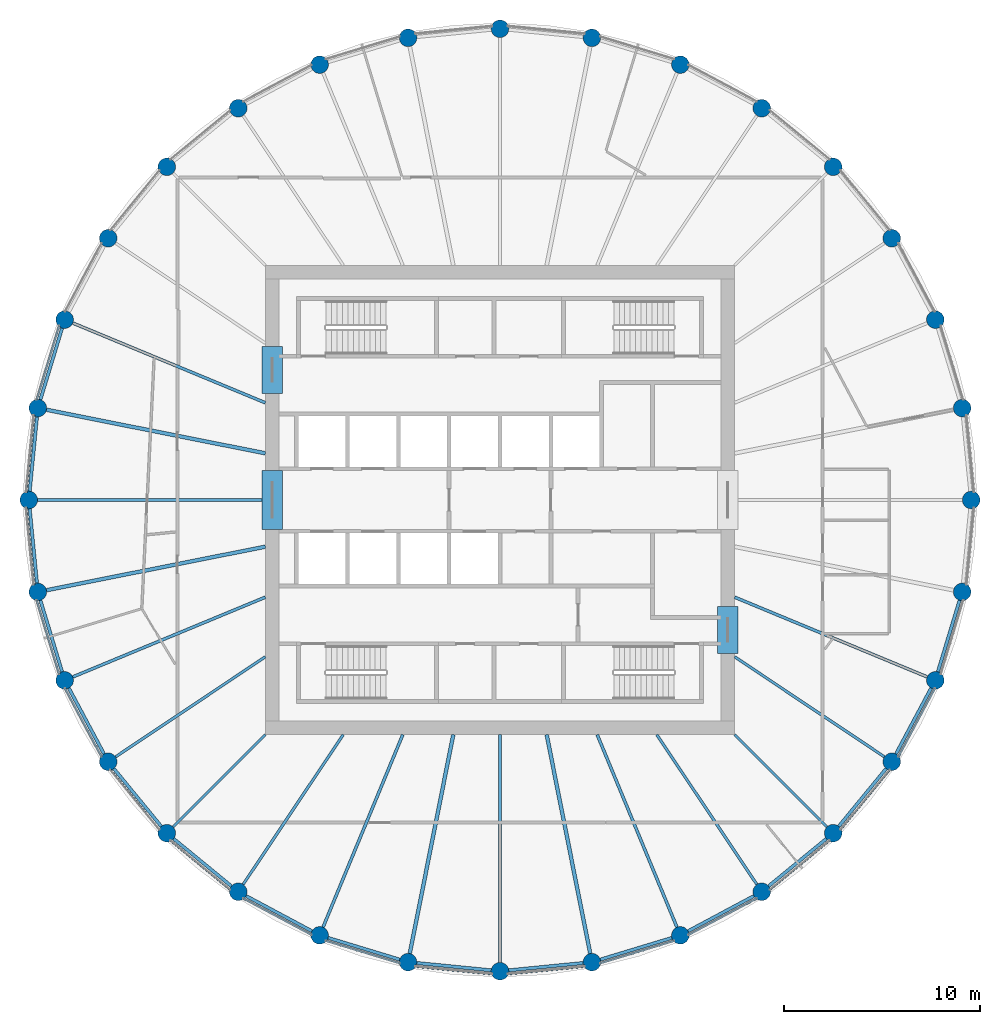
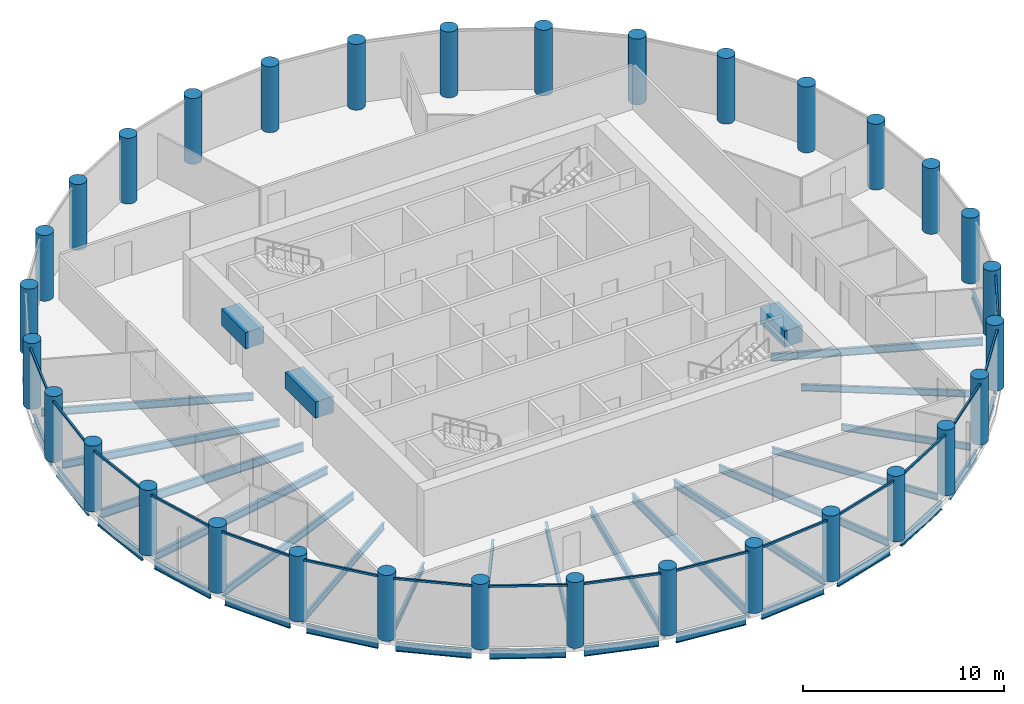
# One storey, part 1 of 7: 37 beams, 32 columns, 16 members, 16 elements without a shape of their own.
"""IFC4 building model written with IfcOpenShell, lengths in metres."""

from ifc_helpers import new_model, si_unit, direction, frame, origin, origin_2d, place, context, subcontext, project, spatial, rectangle, circle, i_section, extrude, material, material_profile, profile_set, type_object, element, aggregate, save


model = new_model("IFC4")

# Units and contexts
model_context = context("Model", 3, precision=1e-05, world=origin(), true_north=direction((0.0, 1.0)))
body_context = subcontext(model_context, "Body", "Model", "MODEL_VIEW")
ifc_project = project(units=[si_unit("LENGTHUNIT", "METRE"), si_unit("AREAUNIT", "SQUARE_METRE"), si_unit("VOLUMEUNIT", "CUBIC_METRE"), si_unit("PLANEANGLEUNIT", "RADIAN"), si_unit("MASSUNIT", "GRAM", prefix="KILO")], contexts=[model_context])

# Site, building, storey
site_placement = place(None, origin())
site = spatial("IfcSite", under=ifc_project, at=site_placement, CompositionType="ELEMENT")
building_placement = place(site_placement, origin())
building = spatial("IfcBuilding", under=site, at=building_placement, Name="Corvane Civic Tower", CompositionType="ELEMENT")
storey_placement = place(building_placement, frame((0.0, 0.0, 307.0)))
storey = spatial("IfcBuildingStorey", under=building, at=storey_placement, Name="L73", CompositionType="ELEMENT", Elevation=307.0)

# Columns
ifc_material_1 = material(Name="Concrete C60/75", Category="concrete")
ifc_material_profile_1 = material_profile(ifc_material_1, circle(Radius=0.449951171875, at=origin_2d()), Name="COLUMN 900")
ifc_profile_set_1 = profile_set([ifc_material_profile_1], Name="Concrete C60/75")
column_type = type_object("IfcColumnType", Name="RC COLUMN COLUMN 900", PredefinedType="COLUMN", material=ifc_profile_set_1)
for number, where, z_axis, x_axis, name in (
    (1, (0.0, 24.10009765625, 0.0), (0.0, 0.0, 1.0), (1.0, 0.0, 0.0), "COL-L73-E01"),
    (2, (4.70166015625, 23.636962890625, 0.0), (0.0, 0.0, 1.0), (1.0, 0.0, 0.0), "COL-L73-E02"),
    (3, (9.22265625, 22.265380859375, 0.0), (0.0, 0.0, 1.0), (1.0, 0.0, 0.0), "COL-L73-E03"),
    (4, (13.38916015625, 20.038330078125, 0.0), (0.0, 0.0, 1.0), (1.0, 0.0, 0.0), "COL-L73-E04"),
    (5, (17.041259765625, 17.041259765625, 0.0), (0.0, 0.0, 1.0), (1.0, 0.0, 0.0), "COL-L73-E05"),
    (6, (20.038330078125, 13.38916015625, 0.0), (0.0, 0.0, 1.0), (1.0, 0.0, 0.0), "COL-L73-E06"),
    (7, (22.265380859375, 9.22265625, 0.0), (0.0, 0.0, 1.0), (1.0, 0.0, 0.0), "COL-L73-E07"),
    (8, (23.636962890625, 4.70166015625, 0.0), (0.0, 0.0, 1.0), (1.0, 0.0, 0.0), "COL-L73-E08"),
    (9, (24.10009765625, 0.0, 0.0), (0.0, 0.0, 1.0), (1.0, 0.0, 0.0), "COL-L73-E09"),
    (10, (23.636962890625, -4.70166015625, 0.0), (0.0, 0.0, 1.0), (1.0, 0.0, 0.0), "COL-L73-E10"),
    (11, (22.265380859375, -9.22265625, 0.0), (0.0, 0.0, 1.0), (1.0, 0.0, 0.0), "COL-L73-E11"),
    (12, (20.038330078125, -13.38916015625, 0.0), (0.0, 0.0, 1.0), (1.0, 0.0, 0.0), "COL-L73-E12"),
    (13, (17.041259765625, -17.041259765625, 0.0), (0.0, 0.0, 1.0), (1.0, 0.0, 0.0), "COL-L73-E13"),
    (14, (13.38916015625, -20.038330078125, 0.0), (0.0, 0.0, 1.0), (1.0, 0.0, 0.0), "COL-L73-E14"),
    (15, (9.22265625, -22.265380859375, 0.0), (0.0, 0.0, 1.0), (1.0, 0.0, 0.0), "COL-L73-E15"),
    (16, (4.70166015625, -23.636962890625, 0.0), (0.0, 0.0, 1.0), (1.0, 0.0, 0.0), "COL-L73-E16"),
    (17, (0.0, -24.10009765625, 0.0), (0.0, 0.0, 1.0), (1.0, 0.0, 0.0), "COL-L73-E17"),
    (18, (-4.70166015625, -23.636962890625, 0.0), (0.0, 0.0, 1.0), (1.0, 0.0, 0.0), "COL-L73-E18"),
    (19, (-9.22265625, -22.265380859375, 0.0), (0.0, 0.0, 1.0), (1.0, 0.0, 0.0), "COL-L73-E19"),
    (20, (-13.38916015625, -20.038330078125, 0.0), (0.0, 0.0, 1.0), (1.0, 0.0, 0.0), "COL-L73-E20"),
    (21, (-17.041259765625, -17.041259765625, 0.0), (0.0, 0.0, 1.0), (1.0, 0.0, 0.0), "COL-L73-E21"),
    (22, (-20.038330078125, -13.38916015625, 0.0), (0.0, 0.0, 1.0), (1.0, 0.0, 0.0), "COL-L73-E22"),
    (23, (-22.265380859375, -9.22265625, 0.0), (0.0, 0.0, 1.0), (1.0, 0.0, 0.0), "COL-L73-E23"),
    (24, (-23.636962890625, -4.70166015625, 0.0), (0.0, 0.0, 1.0), (1.0, 0.0, 0.0), "COL-L73-E24"),
    (25, (-24.10009765625, 0.0, 0.0), (0.0, 0.0, 1.0), (1.0, 0.0, 0.0), "COL-L73-E25"),
    (26, (-23.636962890625, 4.70166015625, 0.0), (0.0, 0.0, 1.0), (1.0, 0.0, 0.0), "COL-L73-E26"),
    (27, (-22.265380859375, 9.22265625, 0.0), (0.0, 0.0, 1.0), (1.0, 0.0, 0.0), "COL-L73-E27"),
    (28, (-20.038330078125, 13.38916015625, 0.0), (0.0, 0.0, 1.0), (1.0, 0.0, 0.0), "COL-L73-E28"),
    (29, (-17.041259765625, 17.041259765625, 0.0), (0.0, 0.0, 1.0), (1.0, 0.0, 0.0), "COL-L73-E29"),
    (30, (-13.38916015625, 20.038330078125, 0.0), (0.0, 0.0, 1.0), (1.0, 0.0, 0.0), "COL-L73-E30"),
    (31, (-9.22265625, 22.265380859375, 0.0), (0.0, 0.0, 1.0), (1.0, 0.0, 0.0), "COL-L73-E31"),
    (32, (-4.70166015625, 23.636962890625, 0.0), (0.0, 0.0, 1.0), (1.0, 0.0, 0.0), "COL-L73-E32"),
):
    element("IfcColumn", number, at=place(storey_placement, frame(where, z_axis=z_axis, x_axis=x_axis)), inside=storey, type_object=column_type, Name=name, PredefinedType="COLUMN", context=body_context, shape_type="SweptSolid", body=[
        extrude(circle(Radius=0.449951171875, at=origin_2d()), origin(), (0.0, 0.0, 1.0), 4.0),
    ])

# Beams
ifc_material_2 = material(Name="Concrete C40/50", Category="concrete")
ifc_material_profile_2 = material_profile(ifc_material_2, rectangle(XDim=1.050048828125, YDim=1.0, at=origin_2d()), Name="COUPLING BEAM 1050X1000")
ifc_profile_set_2 = profile_set([ifc_material_profile_2], Name="Concrete C40/50")
beam_type_1 = type_object("IfcBeamType", Name="COUPLING BEAM COUPLING BEAM 1050X1000", PredefinedType="BEAM", material=ifc_profile_set_2)
beam_1_placement = place(storey_placement, frame((-11.64990234375, -1.5, 2.60009765625), z_axis=(0.0, 1.0, 0.0), x_axis=(-1.0, 0.0, 0.0)))
element("IfcBeam", 33, at=beam_1_placement, inside=storey, type_object=beam_type_1, Name="BM-L73-cpl-CW-LW", PredefinedType="BEAM", context=body_context, shape_type="SweptSolid", body=[
    extrude(rectangle(XDim=1.050048828125, YDim=1.0, at=origin_2d()), origin(), (0.0, 0.0, 1.0), 3.0),
])
for number, where, z_axis, x_axis, name in (
    (34, (-11.64990234375, 5.449951171875, 2.60009765625), (0.0, 1.0, 0.0), (-1.0, 0.0, 0.0), "BM-L73-cpl-CW-WN"),
    (35, (11.64990234375, -7.85009765625, 2.60009765625), (0.0, 1.0, 0.0), (-1.0, 0.0, 0.0), "BM-L73-cpl-CW-ES"),
):
    element("IfcBeam", number, at=place(storey_placement, frame(where, z_axis=z_axis, x_axis=x_axis)), inside=storey, type_object=beam_type_1, Name=name, PredefinedType="BEAM", context=body_context, shape_type="SweptSolid", body=[
        extrude(rectangle(XDim=1.050048828125, YDim=1.0, at=origin_2d()), origin(), (0.0, 0.0, 1.0), 2.400146484375),
    ])
ifc_material_3 = material(Name="Steel ASTM A992 Gr 50", Category="steel")
ifc_material_profile_3 = material_profile(ifc_material_3, i_section(OverallWidth=0.165771484375, OverallDepth=0.5283203125, WebThickness=0.009765625, FlangeThickness=0.013671875, at=origin_2d()), Name="W21X50")
ifc_profile_set_3 = profile_set([ifc_material_profile_3], Name="Steel ASTM A992 Gr 50")
beam_type_2 = type_object("IfcBeamType", Name="EDGE BEAM W21X50", PredefinedType="BEAM", material=ifc_profile_set_3)
beam_2_placement = place(storey_placement, frame((23.50634765625, -5.13232421875, -0.564208984375), z_axis=(-0.290333385085, -0.95692555902, 0.0), x_axis=(0.95692555902, -0.290333385085, 0.0)))
element("IfcBeam", 36, at=beam_2_placement, inside=storey, type_object=beam_type_2, Name="BM-L73-E10", PredefinedType="BEAM", context=body_context, shape_type="SweptSolid", body=[
    extrude(i_section(OverallWidth=0.165771484375, OverallDepth=0.5283203125, WebThickness=0.009765625, FlangeThickness=0.013671875, at=origin_2d()), origin(), (0.0, 0.0, 1.0), 3.824462890625),
])
beam_3_placement = place(storey_placement, frame((22.05322265625, -9.61962890625, -0.564208984375), z_axis=(-0.471409804487, -0.881914279413, 0.0), x_axis=(0.881914279413, -0.471409804487, 0.0)))
element("IfcBeam", 37, at=beam_3_placement, inside=storey, type_object=beam_type_2, Name="BM-L73-E11", PredefinedType="BEAM", context=body_context, shape_type="SweptSolid", body=[
    extrude(i_section(OverallWidth=0.165771484375, OverallDepth=0.5283203125, WebThickness=0.009765625, FlangeThickness=0.013671875, at=origin_2d()), origin(), (0.0, 0.0, 1.0), 3.82421875),
])
for number, where, z_axis, x_axis, name in (
    (38, (19.7529296875, -13.737060546875, -0.564208984375), (-0.634408562057, -0.772997914867, 0.0), (0.772997914867, -0.634408562057, 0.0), "BM-L73-E12"),
    (39, (16.693359375, -17.32666015625, -0.564208984375), (-0.772997914867, -0.634408562057, 0.0), (0.634408562057, -0.772997914867, 0.0), "BM-L73-E13"),
):
    element("IfcBeam", number, at=place(storey_placement, frame(where, z_axis=z_axis, x_axis=x_axis)), inside=storey, type_object=beam_type_2, Name=name, PredefinedType="BEAM", context=body_context, shape_type="SweptSolid", body=[
        extrude(i_section(OverallWidth=0.165771484375, OverallDepth=0.5283203125, WebThickness=0.009765625, FlangeThickness=0.013671875, at=origin_2d()), origin(), (0.0, 0.0, 1.0), 3.824462890625),
    ])
beam_4_placement = place(storey_placement, frame((12.9921875, -20.25048828125, -0.564208984375), z_axis=(-0.881914279413, -0.471409804487, 0.0), x_axis=(0.471409804487, -0.881914279413, 0.0)))
element("IfcBeam", 40, at=beam_4_placement, inside=storey, type_object=beam_type_2, Name="BM-L73-E14", PredefinedType="BEAM", context=body_context, shape_type="SweptSolid", body=[
    extrude(i_section(OverallWidth=0.165771484375, OverallDepth=0.5283203125, WebThickness=0.009765625, FlangeThickness=0.013671875, at=origin_2d()), origin(), (0.0, 0.0, 1.0), 3.82421875),
])
for number, where, z_axis, x_axis, name in (
    (41, (8.7919921875, -22.39599609375, -0.564208984375), (-0.95692555902, -0.290333385085, 0.0), (0.290333385085, -0.95692555902, 0.0), "BM-L73-E15"),
    (42, (4.25390625, -23.68115234375, -0.564208984375), (-0.995187721162, -0.097986732007, 0.0), (0.097986732007, -0.995187721162, 0.0), "BM-L73-E16"),
    (43, (-0.44775390625, -24.055908203125, -0.564208984375), (-0.995187721162, 0.097986732007, 0.0), (-0.097986732007, -0.995187721162, 0.0), "BM-L73-E17"),
    (44, (-5.13232421875, -23.50634765625, -0.564208984375), (-0.95692555902, 0.290333385085, 0.0), (-0.290333385085, -0.95692555902, 0.0), "BM-L73-E18"),
):
    element("IfcBeam", number, at=place(storey_placement, frame(where, z_axis=z_axis, x_axis=x_axis)), inside=storey, type_object=beam_type_2, Name=name, PredefinedType="BEAM", context=body_context, shape_type="SweptSolid", body=[
        extrude(i_section(OverallWidth=0.165771484375, OverallDepth=0.5283203125, WebThickness=0.009765625, FlangeThickness=0.013671875, at=origin_2d()), origin(), (0.0, 0.0, 1.0), 3.824462890625),
    ])
beam_5_placement = place(storey_placement, frame((-9.61962890625, -22.05322265625, -0.564208984375), z_axis=(-0.881914279413, 0.471409804487, 0.0), x_axis=(-0.471409804487, -0.881914279413, 0.0)))
element("IfcBeam", 45, at=beam_5_placement, inside=storey, type_object=beam_type_2, Name="BM-L73-E19", PredefinedType="BEAM", context=body_context, shape_type="SweptSolid", body=[
    extrude(i_section(OverallWidth=0.165771484375, OverallDepth=0.5283203125, WebThickness=0.009765625, FlangeThickness=0.013671875, at=origin_2d()), origin(), (0.0, 0.0, 1.0), 3.82421875),
])
for number, where, z_axis, x_axis, name in (
    (46, (-13.737060546875, -19.7529296875, -0.564208984375), (-0.772997914867, 0.634408562057, 0.0), (-0.634408562057, -0.772997914867, 0.0), "BM-L73-E20"),
    (47, (-17.32666015625, -16.693359375, -0.564208984375), (-0.634408562057, 0.772997914867, 0.0), (-0.772997914867, -0.634408562057, 0.0), "BM-L73-E21"),
):
    element("IfcBeam", number, at=place(storey_placement, frame(where, z_axis=z_axis, x_axis=x_axis)), inside=storey, type_object=beam_type_2, Name=name, PredefinedType="BEAM", context=body_context, shape_type="SweptSolid", body=[
        extrude(i_section(OverallWidth=0.165771484375, OverallDepth=0.5283203125, WebThickness=0.009765625, FlangeThickness=0.013671875, at=origin_2d()), origin(), (0.0, 0.0, 1.0), 3.824462890625),
    ])
beam_6_placement = place(storey_placement, frame((-20.25048828125, -12.9921875, -0.564208984375), z_axis=(-0.471409804487, 0.881914279413, 0.0), x_axis=(-0.881914279413, -0.471409804487, 0.0)))
element("IfcBeam", 48, at=beam_6_placement, inside=storey, type_object=beam_type_2, Name="BM-L73-E22", PredefinedType="BEAM", context=body_context, shape_type="SweptSolid", body=[
    extrude(i_section(OverallWidth=0.165771484375, OverallDepth=0.5283203125, WebThickness=0.009765625, FlangeThickness=0.013671875, at=origin_2d()), origin(), (0.0, 0.0, 1.0), 3.82421875),
])
for number, where, z_axis, x_axis, name in (
    (49, (-22.39599609375, -8.7919921875, -0.564208984375), (-0.290333385085, 0.95692555902, 0.0), (-0.95692555902, -0.290333385085, 0.0), "BM-L73-E23"),
    (50, (-23.68115234375, -4.25390625, -0.564208984375), (-0.097986732007, 0.995187721162, 0.0), (-0.995187721162, -0.097986732007, 0.0), "BM-L73-E24"),
    (51, (-24.055908203125, 0.44775390625, -0.564208984375), (0.097986732007, 0.995187721162, 0.0), (-0.995187721162, 0.097986732007, 0.0), "BM-L73-E25"),
    (52, (-23.50634765625, 5.13232421875, -0.564208984375), (0.290333385085, 0.95692555902, 0.0), (-0.95692555902, 0.290333385085, 0.0), "BM-L73-E26"),
):
    element("IfcBeam", number, at=place(storey_placement, frame(where, z_axis=z_axis, x_axis=x_axis)), inside=storey, type_object=beam_type_2, Name=name, PredefinedType="BEAM", context=body_context, shape_type="SweptSolid", body=[
        extrude(i_section(OverallWidth=0.165771484375, OverallDepth=0.5283203125, WebThickness=0.009765625, FlangeThickness=0.013671875, at=origin_2d()), origin(), (0.0, 0.0, 1.0), 3.824462890625),
    ])
ifc_material_4 = material(Name="Steel ASTM A992 Gr 50", Category="steel")
ifc_material_profile_4 = material_profile(ifc_material_4, i_section(OverallWidth=0.140380859375, OverallDepth=0.40380859375, WebThickness=0.007080078125, FlangeThickness=0.01123046875, at=origin_2d()), Name="W16X31")
ifc_profile_set_4 = profile_set([ifc_material_profile_4], Name="Steel ASTM A992 Gr 50")
beam_type_3 = type_object("IfcBeamType", Name="FLOOR GIRDER W16X31", PredefinedType="BEAM", material=ifc_profile_set_4)
beam_7_placement = place(storey_placement, frame((12.0, -8.01806640625, -0.501953125), z_axis=(0.831471227061, -0.555567816355, 0.0), x_axis=(0.555567816355, 0.831471227061, 0.0)))
element("IfcBeam", 53, at=beam_7_placement, inside=storey, type_object=beam_type_3, Name="BM-L73-G12", PredefinedType="BEAM", context=body_context, shape_type="SweptSolid", body=[
    extrude(i_section(OverallWidth=0.140380859375, OverallDepth=0.40380859375, WebThickness=0.007080078125, FlangeThickness=0.01123046875, at=origin_2d()), origin(), (0.0, 0.0, 1.0), 9.2177734375),
])
beam_8_placement = place(storey_placement, frame((12.0, -12.0, -0.501953125), z_axis=(0.707106781187, -0.707106781187, 0.0), x_axis=(0.707106781187, 0.707106781187, 0.0)))
element("IfcBeam", 54, at=beam_8_placement, inside=storey, type_object=beam_type_3, Name="BM-L73-G13", PredefinedType="BEAM", context=body_context, shape_type="SweptSolid", body=[
    extrude(i_section(OverallWidth=0.140380859375, OverallDepth=0.40380859375, WebThickness=0.007080078125, FlangeThickness=0.01123046875, at=origin_2d()), origin(), (0.0, 0.0, 1.0), 6.679443359375),
])
for number, where, z_axis, x_axis, name in (
    (55, (8.01806640625, -12.0, -0.501953125), (0.555567816355, -0.831471227061, 0.0), (0.831471227061, 0.555567816355, 0.0), "BM-L73-G14"),
    (56, (-8.01806640625, -12.0, -0.501953125), (-0.555567816355, -0.831471227061, 0.0), (0.831471227061, -0.555567816355, 0.0), "BM-L73-G20"),
):
    element("IfcBeam", number, at=place(storey_placement, frame(where, z_axis=z_axis, x_axis=x_axis)), inside=storey, type_object=beam_type_3, Name=name, PredefinedType="BEAM", context=body_context, shape_type="SweptSolid", body=[
        extrude(i_section(OverallWidth=0.140380859375, OverallDepth=0.40380859375, WebThickness=0.007080078125, FlangeThickness=0.01123046875, at=origin_2d()), origin(), (0.0, 0.0, 1.0), 9.2177734375),
    ])
beam_9_placement = place(storey_placement, frame((-12.0, -12.0, -0.501953125), z_axis=(-0.707106781187, -0.707106781187, 0.0), x_axis=(0.707106781187, -0.707106781187, 0.0)))
element("IfcBeam", 57, at=beam_9_placement, inside=storey, type_object=beam_type_3, Name="BM-L73-G21", PredefinedType="BEAM", context=body_context, shape_type="SweptSolid", body=[
    extrude(i_section(OverallWidth=0.140380859375, OverallDepth=0.40380859375, WebThickness=0.007080078125, FlangeThickness=0.01123046875, at=origin_2d()), origin(), (0.0, 0.0, 1.0), 6.679443359375),
])
beam_10_placement = place(storey_placement, frame((-12.0, -8.01806640625, -0.501953125), z_axis=(-0.831471227061, -0.555567816355, 0.0), x_axis=(0.555567816355, -0.831471227061, 0.0)))
element("IfcBeam", 58, at=beam_10_placement, inside=storey, type_object=beam_type_3, Name="BM-L73-G22", PredefinedType="BEAM", context=body_context, shape_type="SweptSolid", body=[
    extrude(i_section(OverallWidth=0.140380859375, OverallDepth=0.40380859375, WebThickness=0.007080078125, FlangeThickness=0.01123046875, at=origin_2d()), origin(), (0.0, 0.0, 1.0), 9.2177734375),
])
ifc_material_5 = material(Name="Steel ASTM A992 Gr 50", Category="steel")
ifc_material_profile_5 = material_profile(ifc_material_5, i_section(OverallWidth=0.15283203125, OverallDepth=0.45458984375, WebThickness=0.008056640625, FlangeThickness=0.013427734375, at=origin_2d()), Name="W18X40")
ifc_profile_set_5 = profile_set([ifc_material_profile_5], Name="Steel ASTM A992 Gr 50")
beam_type_4 = type_object("IfcBeamType", Name="FLOOR GIRDER W18X40", PredefinedType="BEAM", material=ifc_profile_set_5)
for number, where, z_axis, x_axis, name in (
    (59, (12.0, -4.970458984375, -0.52734375), (0.923875048589, -0.382694257331, 0.0), (0.382694257331, 0.923875048589, 0.0), "BM-L73-G11"),
    (60, (4.970458984375, -12.0, -0.52734375), (0.382694257331, -0.923875048589, 0.0), (0.923875048589, 0.382694257331, 0.0), "BM-L73-G15"),
    (61, (-4.970458984375, -12.0, -0.52734375), (-0.382694257331, -0.923875048589, 0.0), (0.923875048589, -0.382694257331, 0.0), "BM-L73-G19"),
    (62, (-12.0, -4.970458984375, -0.52734375), (-0.923875048589, -0.382694257331, 0.0), (0.382694257331, -0.923875048589, 0.0), "BM-L73-G23"),
    (63, (-12.0, 4.970458984375, -0.52734375), (-0.923875048589, 0.382694257331, 0.0), (-0.382694257331, -0.923875048589, 0.0), "BM-L73-G27"),
):
    element("IfcBeam", number, at=place(storey_placement, frame(where, z_axis=z_axis, x_axis=x_axis)), inside=storey, type_object=beam_type_4, Name=name, PredefinedType="BEAM", context=body_context, shape_type="SweptSolid", body=[
        extrude(i_section(OverallWidth=0.15283203125, OverallDepth=0.45458984375, WebThickness=0.008056640625, FlangeThickness=0.013427734375, at=origin_2d()), origin(), (0.0, 0.0, 1.0), 10.661376953125),
    ])
ifc_material_6 = material(Name="Steel ASTM A992 Gr 50", Category="steel")
ifc_material_profile_6 = material_profile(ifc_material_6, i_section(OverallWidth=0.1904296875, OverallDepth=0.457275390625, WebThickness=0.009033203125, FlangeThickness=0.014404296875, at=origin_2d()), Name="W18X50")
ifc_profile_set_6 = profile_set([ifc_material_profile_6], Name="Steel ASTM A992 Gr 50")
beam_type_5 = type_object("IfcBeamType", Name="FLOOR GIRDER W18X50", PredefinedType="BEAM", material=ifc_profile_set_6)
for number, where, z_axis, x_axis, name in (
    (64, (2.386962890625, -12.0, -0.528564453125), (0.195079532402, -0.980787426529, 0.0), (0.980787426529, 0.195079532402, 0.0), "BM-L73-G16"),
    (65, (-2.386962890625, -12.0, -0.528564453125), (-0.195079532402, -0.980787426529, 0.0), (0.980787426529, -0.195079532402, 0.0), "BM-L73-G18"),
    (66, (-12.0, -2.386962890625, -0.528564453125), (-0.980787426529, -0.195079532402, 0.0), (0.195079532402, -0.980787426529, 0.0), "BM-L73-G24"),
    (67, (-12.0, 2.386962890625, -0.528564453125), (-0.980787426529, 0.195079532402, 0.0), (-0.195079532402, -0.980787426529, 0.0), "BM-L73-G26"),
):
    element("IfcBeam", number, at=place(storey_placement, frame(where, z_axis=z_axis, x_axis=x_axis)), inside=storey, type_object=beam_type_5, Name=name, PredefinedType="BEAM", context=body_context, shape_type="SweptSolid", body=[
        extrude(i_section(OverallWidth=0.1904296875, OverallDepth=0.457275390625, WebThickness=0.009033203125, FlangeThickness=0.014404296875, at=origin_2d()), origin(), (0.0, 0.0, 1.0), 11.414794921875),
    ])
ifc_material_7 = material(Name="Steel ASTM A992 Gr 50", Category="steel")
ifc_material_profile_7 = material_profile(ifc_material_7, i_section(OverallWidth=0.165771484375, OverallDepth=0.5283203125, WebThickness=0.009765625, FlangeThickness=0.013671875, at=origin_2d()), Name="W21X50")
ifc_profile_set_7 = profile_set([ifc_material_profile_7], Name="Steel ASTM A992 Gr 50")
beam_type_6 = type_object("IfcBeamType", Name="FLOOR GIRDER W21X50", PredefinedType="BEAM", material=ifc_profile_set_7)
for number, where, z_axis, x_axis, name in (
    (68, (0.0, -12.0, -0.564208984375), (0.0, -1.0, 0.0), (1.0, 0.0, 0.0), "BM-L73-G17"),
    (69, (-12.0, 0.0, -0.564208984375), (-1.0, 0.0, 0.0), (0.0, -1.0, 0.0), "BM-L73-G25"),
):
    element("IfcBeam", number, at=place(storey_placement, frame(where, z_axis=z_axis, x_axis=x_axis)), inside=storey, type_object=beam_type_6, Name=name, PredefinedType="BEAM", context=body_context, shape_type="SweptSolid", body=[
        extrude(i_section(OverallWidth=0.165771484375, OverallDepth=0.5283203125, WebThickness=0.009765625, FlangeThickness=0.013671875, at=origin_2d()), origin(), (0.0, 0.0, 1.0), 11.64990234375),
    ])

# Curtain wall, member
ifc_material_8 = material(Name="Anodised aluminium bronze", Category="aluminium")
curtain_wall_type = type_object("IfcCurtainWallType", Name="TOWER CW-T3 STICK CURTAIN WALL", PredefinedType="NOTDEFINED", material=ifc_material_8)
curtain_wall_1_placement = place(storey_placement, origin())
curtain_wall_1 = element("IfcCurtainWall", 70, at=curtain_wall_1_placement, inside=storey, type_object=curtain_wall_type, Name="Curtain wall CW-T3 L73 bay 11", PredefinedType="NOTDEFINED")
ifc_material_9 = material(Name="Anodised aluminium bronze", Category="aluminium")
ifc_material_profile_8 = material_profile(ifc_material_9, rectangle(XDim=0.10009765625, YDim=0.1201171875, at=origin_2d()), Name="TOWER CW-T3 TRANSOM 100x120")
ifc_profile_set_8 = profile_set([ifc_material_profile_8], Name="Anodised aluminium bronze")
member_type = type_object("IfcMemberType", Name="TOWER CW-T3 TRANSOM 100x120", PredefinedType="USERDEFINED", material=ifc_profile_set_8)
member_1_placement = place(storey_placement, frame((22.2431640625, -9.644775390625, 3.68994140625), z_axis=(-0.471468241052, -0.881883040816, 0.0), x_axis=(0.881883040816, -0.471468241052, 0.0)))
member_1 = element("IfcMember", 71, at=member_1_placement, type_object=member_type, Name="Transom CW-T3 L73 11.1", ObjectType="TRANSOM", PredefinedType="USERDEFINED", context=body_context, shape_type="SweptSolid", body=[
    extrude(rectangle(XDim=0.10009765625, YDim=0.1201171875, at=origin_2d()), origin(), (0.0, 0.0, 1.0), 3.958740234375),
])
aggregate(curtain_wall_1, [member_1])

curtain_wall_2_placement = place(storey_placement, origin())
curtain_wall_2 = element("IfcCurtainWall", 72, at=curtain_wall_2_placement, inside=storey, type_object=curtain_wall_type, Name="Curtain wall CW-T3 L73 bay 12", PredefinedType="NOTDEFINED")
member_2_placement = place(storey_placement, frame((19.93408203125, -13.798828125, 3.68994140625), z_axis=(-0.634415838373, -0.772991943051, 0.0), x_axis=(0.772991943051, -0.634415838373, 0.0)))
member_2 = element("IfcMember", 73, at=member_2_placement, type_object=member_type, Name="Transom CW-T3 L73 12.1", ObjectType="TRANSOM", PredefinedType="USERDEFINED", context=body_context, shape_type="SweptSolid", body=[
    extrude(rectangle(XDim=0.10009765625, YDim=0.1201171875, at=origin_2d()), origin(), (0.0, 0.0, 1.0), 3.958740234375),
])
aggregate(curtain_wall_2, [member_2])

curtain_wall_3_placement = place(storey_placement, origin())
curtain_wall_3 = element("IfcCurtainWall", 74, at=curtain_wall_3_placement, inside=storey, type_object=curtain_wall_type, Name="Curtain wall CW-T3 L73 bay 13", PredefinedType="NOTDEFINED")
member_3_placement = place(storey_placement, frame((16.85888671875, -17.422607421875, 3.68994140625), z_axis=(-0.772991943051, -0.634415838373, 0.0), x_axis=(0.634415838373, -0.772991943051, 0.0)))
member_3 = element("IfcMember", 75, at=member_3_placement, type_object=member_type, Name="Transom CW-T3 L73 13.1", ObjectType="TRANSOM", PredefinedType="USERDEFINED", context=body_context, shape_type="SweptSolid", body=[
    extrude(rectangle(XDim=0.10009765625, YDim=0.1201171875, at=origin_2d()), origin(), (0.0, 0.0, 1.0), 3.958740234375),
])
aggregate(curtain_wall_3, [member_3])

curtain_wall_4_placement = place(storey_placement, origin())
curtain_wall_4 = element("IfcCurtainWall", 76, at=curtain_wall_4_placement, inside=storey, type_object=curtain_wall_type, Name="Curtain wall CW-T3 L73 bay 14", PredefinedType="NOTDEFINED")
member_4_placement = place(storey_placement, frame((13.135986328125, -20.376708984375, 3.68994140625), z_axis=(-0.881883040816, -0.471468241052, 0.0), x_axis=(0.471468241052, -0.881883040816, 0.0)))
member_4 = element("IfcMember", 77, at=member_4_placement, type_object=member_type, Name="Transom CW-T3 L73 14.1", ObjectType="TRANSOM", PredefinedType="USERDEFINED", context=body_context, shape_type="SweptSolid", body=[
    extrude(rectangle(XDim=0.10009765625, YDim=0.1201171875, at=origin_2d()), origin(), (0.0, 0.0, 1.0), 3.958740234375),
])
aggregate(curtain_wall_4, [member_4])

curtain_wall_5_placement = place(storey_placement, origin())
curtain_wall_5 = element("IfcCurtainWall", 78, at=curtain_wall_5_placement, inside=storey, type_object=curtain_wall_type, Name="Curtain wall CW-T3 L73 bay 15", PredefinedType="NOTDEFINED")
member_5_placement = place(storey_placement, frame((8.908447265625, -22.548095703125, 3.68994140625), z_axis=(-0.956946054205, -0.290265825309, 0.0), x_axis=(0.290265825309, -0.956946054205, 0.0)))
member_5 = element("IfcMember", 79, at=member_5_placement, type_object=member_type, Name="Transom CW-T3 L73 15.1", ObjectType="TRANSOM", PredefinedType="USERDEFINED", context=body_context, shape_type="SweptSolid", body=[
    extrude(rectangle(XDim=0.10009765625, YDim=0.1201171875, at=origin_2d()), origin(), (0.0, 0.0, 1.0), 3.958984375),
])
aggregate(curtain_wall_5, [member_5])

curtain_wall_6_placement = place(storey_placement, origin())
curtain_wall_6 = element("IfcCurtainWall", 80, at=curtain_wall_6_placement, inside=storey, type_object=curtain_wall_type, Name="Curtain wall CW-T3 L73 bay 16", PredefinedType="NOTDEFINED")
member_6_placement = place(storey_placement, frame((4.338134765625, -23.852783203125, 3.68994140625), z_axis=(-0.995186866683, -0.097995409999, 0.0), x_axis=(0.097995409999, -0.995186866683, 0.0)))
member_6 = element("IfcMember", 81, at=member_6_placement, type_object=member_type, Name="Transom CW-T3 L73 16.1", ObjectType="TRANSOM", PredefinedType="USERDEFINED", context=body_context, shape_type="SweptSolid", body=[
    extrude(rectangle(XDim=0.10009765625, YDim=0.1201171875, at=origin_2d()), origin(), (0.0, 0.0, 1.0), 3.958740234375),
])
aggregate(curtain_wall_6, [member_6])

curtain_wall_7_placement = place(storey_placement, origin())
curtain_wall_7 = element("IfcCurtainWall", 82, at=curtain_wall_7_placement, inside=storey, type_object=curtain_wall_type, Name="Curtain wall CW-T3 L73 bay 17", PredefinedType="NOTDEFINED")
member_7_placement = place(storey_placement, frame((-0.3984375, -24.24072265625, 3.68994140625), z_axis=(-0.995186866683, 0.097995409999, 0.0), x_axis=(-0.097995409999, -0.995186866683, 0.0)))
member_7 = element("IfcMember", 83, at=member_7_placement, type_object=member_type, Name="Transom CW-T3 L73 17.1", ObjectType="TRANSOM", PredefinedType="USERDEFINED", context=body_context, shape_type="SweptSolid", body=[
    extrude(rectangle(XDim=0.10009765625, YDim=0.1201171875, at=origin_2d()), origin(), (0.0, 0.0, 1.0), 3.958740234375),
])
aggregate(curtain_wall_7, [member_7])

curtain_wall_8_placement = place(storey_placement, origin())
curtain_wall_8 = element("IfcCurtainWall", 84, at=curtain_wall_8_placement, inside=storey, type_object=curtain_wall_type, Name="Curtain wall CW-T3 L73 bay 18", PredefinedType="NOTDEFINED")
member_8_placement = place(storey_placement, frame((-5.119873046875, -23.697265625, 3.68994140625), z_axis=(-0.956946054205, 0.290265825309, 0.0), x_axis=(-0.290265825309, -0.956946054205, 0.0)))
member_8 = element("IfcMember", 85, at=member_8_placement, type_object=member_type, Name="Transom CW-T3 L73 18.1", ObjectType="TRANSOM", PredefinedType="USERDEFINED", context=body_context, shape_type="SweptSolid", body=[
    extrude(rectangle(XDim=0.10009765625, YDim=0.1201171875, at=origin_2d()), origin(), (0.0, 0.0, 1.0), 3.958984375),
])
aggregate(curtain_wall_8, [member_8])

curtain_wall_9_placement = place(storey_placement, origin())
curtain_wall_9 = element("IfcCurtainWall", 86, at=curtain_wall_9_placement, inside=storey, type_object=curtain_wall_type, Name="Curtain wall CW-T3 L73 bay 19", PredefinedType="NOTDEFINED")
member_9_placement = place(storey_placement, frame((-9.644775390625, -22.2431640625, 3.68994140625), z_axis=(-0.881883040816, 0.471468241052, 0.0), x_axis=(-0.471468241052, -0.881883040816, 0.0)))
member_9 = element("IfcMember", 87, at=member_9_placement, type_object=member_type, Name="Transom CW-T3 L73 19.1", ObjectType="TRANSOM", PredefinedType="USERDEFINED", context=body_context, shape_type="SweptSolid", body=[
    extrude(rectangle(XDim=0.10009765625, YDim=0.1201171875, at=origin_2d()), origin(), (0.0, 0.0, 1.0), 3.958740234375),
])
aggregate(curtain_wall_9, [member_9])

curtain_wall_10_placement = place(storey_placement, origin())
curtain_wall_10 = element("IfcCurtainWall", 88, at=curtain_wall_10_placement, inside=storey, type_object=curtain_wall_type, Name="Curtain wall CW-T3 L73 bay 20", PredefinedType="NOTDEFINED")
member_10_placement = place(storey_placement, frame((-13.798828125, -19.93408203125, 3.68994140625), z_axis=(-0.772991943051, 0.634415838373, 0.0), x_axis=(-0.634415838373, -0.772991943051, 0.0)))
member_10 = element("IfcMember", 89, at=member_10_placement, type_object=member_type, Name="Transom CW-T3 L73 20.1", ObjectType="TRANSOM", PredefinedType="USERDEFINED", context=body_context, shape_type="SweptSolid", body=[
    extrude(rectangle(XDim=0.10009765625, YDim=0.1201171875, at=origin_2d()), origin(), (0.0, 0.0, 1.0), 3.958740234375),
])
aggregate(curtain_wall_10, [member_10])

curtain_wall_11_placement = place(storey_placement, origin())
curtain_wall_11 = element("IfcCurtainWall", 90, at=curtain_wall_11_placement, inside=storey, type_object=curtain_wall_type, Name="Curtain wall CW-T3 L73 bay 21", PredefinedType="NOTDEFINED")
member_11_placement = place(storey_placement, frame((-17.422607421875, -16.85888671875, 3.68994140625), z_axis=(-0.634415838373, 0.772991943051, 0.0), x_axis=(-0.772991943051, -0.634415838373, 0.0)))
member_11 = element("IfcMember", 91, at=member_11_placement, type_object=member_type, Name="Transom CW-T3 L73 21.1", ObjectType="TRANSOM", PredefinedType="USERDEFINED", context=body_context, shape_type="SweptSolid", body=[
    extrude(rectangle(XDim=0.10009765625, YDim=0.1201171875, at=origin_2d()), origin(), (0.0, 0.0, 1.0), 3.958740234375),
])
aggregate(curtain_wall_11, [member_11])

curtain_wall_12_placement = place(storey_placement, origin())
curtain_wall_12 = element("IfcCurtainWall", 92, at=curtain_wall_12_placement, inside=storey, type_object=curtain_wall_type, Name="Curtain wall CW-T3 L73 bay 22", PredefinedType="NOTDEFINED")
member_12_placement = place(storey_placement, frame((-20.376708984375, -13.135986328125, 3.68994140625), z_axis=(-0.471468241052, 0.881883040816, 0.0), x_axis=(-0.881883040816, -0.471468241052, 0.0)))
member_12 = element("IfcMember", 93, at=member_12_placement, type_object=member_type, Name="Transom CW-T3 L73 22.1", ObjectType="TRANSOM", PredefinedType="USERDEFINED", context=body_context, shape_type="SweptSolid", body=[
    extrude(rectangle(XDim=0.10009765625, YDim=0.1201171875, at=origin_2d()), origin(), (0.0, 0.0, 1.0), 3.958740234375),
])
aggregate(curtain_wall_12, [member_12])

curtain_wall_13_placement = place(storey_placement, origin())
curtain_wall_13 = element("IfcCurtainWall", 94, at=curtain_wall_13_placement, inside=storey, type_object=curtain_wall_type, Name="Curtain wall CW-T3 L73 bay 23", PredefinedType="NOTDEFINED")
member_13_placement = place(storey_placement, frame((-22.548095703125, -8.908447265625, 3.68994140625), z_axis=(-0.290265825309, 0.956946054205, 0.0), x_axis=(-0.956946054205, -0.290265825309, 0.0)))
member_13 = element("IfcMember", 95, at=member_13_placement, type_object=member_type, Name="Transom CW-T3 L73 23.1", ObjectType="TRANSOM", PredefinedType="USERDEFINED", context=body_context, shape_type="SweptSolid", body=[
    extrude(rectangle(XDim=0.10009765625, YDim=0.1201171875, at=origin_2d()), origin(), (0.0, 0.0, 1.0), 3.958984375),
])
aggregate(curtain_wall_13, [member_13])

curtain_wall_14_placement = place(storey_placement, origin())
curtain_wall_14 = element("IfcCurtainWall", 96, at=curtain_wall_14_placement, inside=storey, type_object=curtain_wall_type, Name="Curtain wall CW-T3 L73 bay 24", PredefinedType="NOTDEFINED")
member_14_placement = place(storey_placement, frame((-23.852783203125, -4.338134765625, 3.68994140625), z_axis=(-0.097995409999, 0.995186866683, 0.0), x_axis=(-0.995186866683, -0.097995409999, 0.0)))
member_14 = element("IfcMember", 97, at=member_14_placement, type_object=member_type, Name="Transom CW-T3 L73 24.1", ObjectType="TRANSOM", PredefinedType="USERDEFINED", context=body_context, shape_type="SweptSolid", body=[
    extrude(rectangle(XDim=0.10009765625, YDim=0.1201171875, at=origin_2d()), origin(), (0.0, 0.0, 1.0), 3.958740234375),
])
aggregate(curtain_wall_14, [member_14])

curtain_wall_15_placement = place(storey_placement, origin())
curtain_wall_15 = element("IfcCurtainWall", 98, at=curtain_wall_15_placement, inside=storey, type_object=curtain_wall_type, Name="Curtain wall CW-T3 L73 bay 25", PredefinedType="NOTDEFINED")
member_15_placement = place(storey_placement, frame((-24.24072265625, 0.3984375, 3.68994140625), z_axis=(0.097995409999, 0.995186866683, 0.0), x_axis=(-0.995186866683, 0.097995409999, 0.0)))
member_15 = element("IfcMember", 99, at=member_15_placement, type_object=member_type, Name="Transom CW-T3 L73 25.1", ObjectType="TRANSOM", PredefinedType="USERDEFINED", context=body_context, shape_type="SweptSolid", body=[
    extrude(rectangle(XDim=0.10009765625, YDim=0.1201171875, at=origin_2d()), origin(), (0.0, 0.0, 1.0), 3.958740234375),
])
aggregate(curtain_wall_15, [member_15])

curtain_wall_16_placement = place(storey_placement, origin())
curtain_wall_16 = element("IfcCurtainWall", 100, at=curtain_wall_16_placement, inside=storey, type_object=curtain_wall_type, Name="Curtain wall CW-T3 L73 bay 26", PredefinedType="NOTDEFINED")
member_16_placement = place(storey_placement, frame((-23.697265625, 5.119873046875, 3.68994140625), z_axis=(0.290265825309, 0.956946054205, 0.0), x_axis=(-0.956946054205, 0.290265825309, 0.0)))
member_16 = element("IfcMember", 101, at=member_16_placement, type_object=member_type, Name="Transom CW-T3 L73 26.1", ObjectType="TRANSOM", PredefinedType="USERDEFINED", context=body_context, shape_type="SweptSolid", body=[
    extrude(rectangle(XDim=0.10009765625, YDim=0.1201171875, at=origin_2d()), origin(), (0.0, 0.0, 1.0), 3.958984375),
])
aggregate(curtain_wall_16, [member_16])

save(model, "model.ifc")
